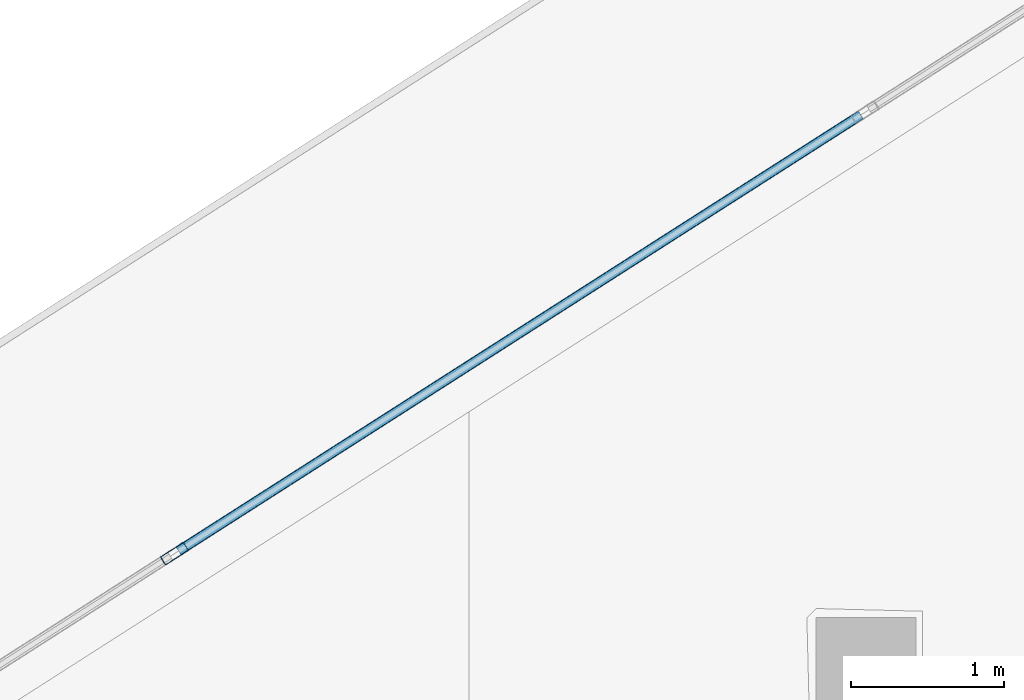
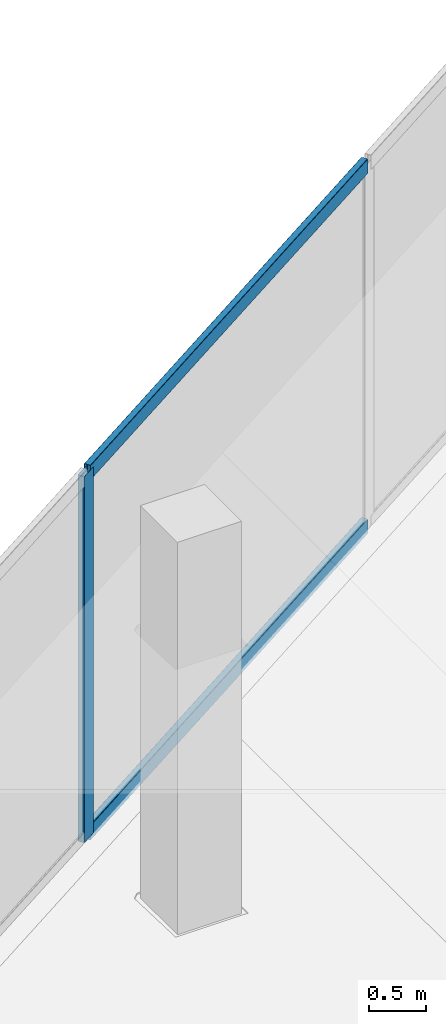
# One storey, part 18 of 44: 3 members, 1 element without a shape of its own.
"""IFC4 building model written with IfcOpenShell, lengths in metres."""

from ifc_helpers import new_model, si_unit, direction, frame, origin, origin_2d, place, context, subcontext, project, spatial, hollow_rectangle, extrude, material, layer, layer_set, material_profile, profile_set, type_object, element, aggregate, save


model = new_model("IFC4")

# Units and contexts
model_context = context("Model", 3, precision=1e-05, world=origin(), true_north=direction((0.0, 1.0)))
body_context = subcontext(model_context, "Body", "Model", "MODEL_VIEW")
ifc_project = project(units=[si_unit("LENGTHUNIT", "METRE"), si_unit("AREAUNIT", "SQUARE_METRE"), si_unit("VOLUMEUNIT", "CUBIC_METRE"), si_unit("PLANEANGLEUNIT", "RADIAN"), si_unit("MASSUNIT", "GRAM", prefix="KILO")], contexts=[model_context])

# Site, building, storey
site_placement = place(None, origin())
site = spatial("IfcSite", under=ifc_project, at=site_placement, CompositionType="ELEMENT")
building_placement = place(site_placement, origin())
building = spatial("IfcBuilding", under=site, at=building_placement, Name="Qorvath Tower", CompositionType="ELEMENT")
storey_placement = place(building_placement, frame((0.0, 0.0, 40.800048828125)))
storey = spatial("IfcBuildingStorey", under=building, at=storey_placement, Name="L08", CompositionType="ELEMENT", Elevation=40.800048828125)

# Curtain wall, members
ifc_material_1 = material(Name="Anodised aluminium and triple low-E glass", Category="aluminium")
ifc_layer = layer(ifc_material_1, 0.179931640625)
ifc_layer_set = layer_set([ifc_layer], Name="CW-SYS-2")
curtain_wall_type = type_object("IfcCurtainWallType", Name="CW-SYS-2", PredefinedType="NOTDEFINED", material=ifc_layer_set)
curtain_wall_placement = place(storey_placement, origin())
curtain_wall = element("IfcCurtainWall", 1, at=curtain_wall_placement, inside=storey, type_object=curtain_wall_type, Name="Curtain Wall CW-2 CW-T-L08-16.2", PredefinedType="NOTDEFINED")
ifc_material_2 = material(Name="Anodised aluminium 6063-T6", Category="aluminium")
ifc_material_profile_1 = material_profile(ifc_material_2, hollow_rectangle(XDim=0.06494140625, YDim=0.179931640625, WallThickness=0.00341796875, InnerFilletRadius=0.00341796875, OuterFilletRadius=0.007080078125, at=origin_2d()), Name="CWM 180x65")
ifc_profile_set_1 = profile_set([ifc_material_profile_1], Name="Anodised aluminium 6063-T6")
member_type_1 = type_object("IfcMemberType", Name="CWM-180", PredefinedType="MULLION", material=ifc_profile_set_1)
member_1_placement = place(storey_placement, frame((-35.5244140625, 20.203125, 0.0), z_axis=(0.0, 0.0, 1.0), x_axis=(0.538541095387, -0.842599245537, 0.0)))
member_1 = element("IfcMember", 2, at=member_1_placement, type_object=member_type_1, Name="CW-2 mullion 4", PredefinedType="MULLION", context=body_context, shape_type="SweptSolid", body=[
    extrude(hollow_rectangle(XDim=0.06494140625, YDim=0.179931640625, WallThickness=0.00341796875, InnerFilletRadius=0.00341796875, OuterFilletRadius=0.007080078125, at=origin_2d()), origin(), (0.0, 0.0, 1.0), 3.919921875),
])
ifc_material_3 = material(Name="Anodised aluminium 6063-T6", Category="aluminium")
ifc_material_profile_2 = material_profile(ifc_material_3, hollow_rectangle(XDim=0.06494140625, YDim=0.159912109375, WallThickness=0.00341796875, InnerFilletRadius=0.00341796875, OuterFilletRadius=0.007080078125, at=origin_2d()), Name="CWT 160x65")
ifc_profile_set_2 = profile_set([ifc_material_profile_2], Name="Anodised aluminium 6063-T6")
member_type_2 = type_object("IfcMemberType", Name="CWT-160", PredefinedType="USERDEFINED", material=ifc_profile_set_2)
member_2_placement = place(storey_placement, frame((-31.0498046875, 23.063232421875, 0.032470703125), z_axis=(-0.842591313382, -0.538553505803, 0.0), x_axis=(0.538553505803, -0.842591313382, 0.0)))
member_2 = element("IfcMember", 3, at=member_2_placement, type_object=member_type_2, Name="CW-2 transom 3.1", ObjectType="TRANSOM", PredefinedType="USERDEFINED", context=body_context, shape_type="SweptSolid", body=[
    extrude(hollow_rectangle(XDim=0.06494140625, YDim=0.159912109375, WallThickness=0.00341796875, InnerFilletRadius=0.00341796875, OuterFilletRadius=0.007080078125, at=origin_2d()), origin(), (0.0, 0.0, 1.0), 5.278076171875),
])
member_3_placement = place(storey_placement, frame((-31.0498046875, 23.063232421875, 3.887451171875), z_axis=(-0.842591313382, -0.538553505803, 0.0), x_axis=(0.538553505803, -0.842591313382, 0.0)))
member_3 = element("IfcMember", 4, at=member_3_placement, type_object=member_type_2, Name="CW-2 transom 3.2", ObjectType="TRANSOM", PredefinedType="USERDEFINED", context=body_context, shape_type="SweptSolid", body=[
    extrude(hollow_rectangle(XDim=0.06494140625, YDim=0.159912109375, WallThickness=0.00341796875, InnerFilletRadius=0.00341796875, OuterFilletRadius=0.007080078125, at=origin_2d()), origin(), (0.0, 0.0, 1.0), 5.278076171875),
])
aggregate(curtain_wall, [member_1, member_2, member_3])

save(model, "model.ifc")
